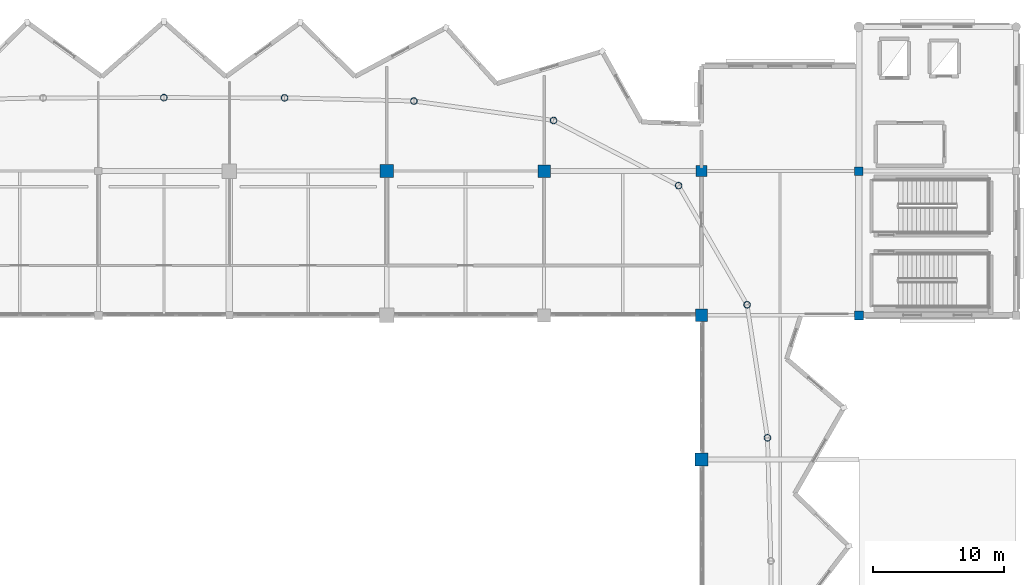
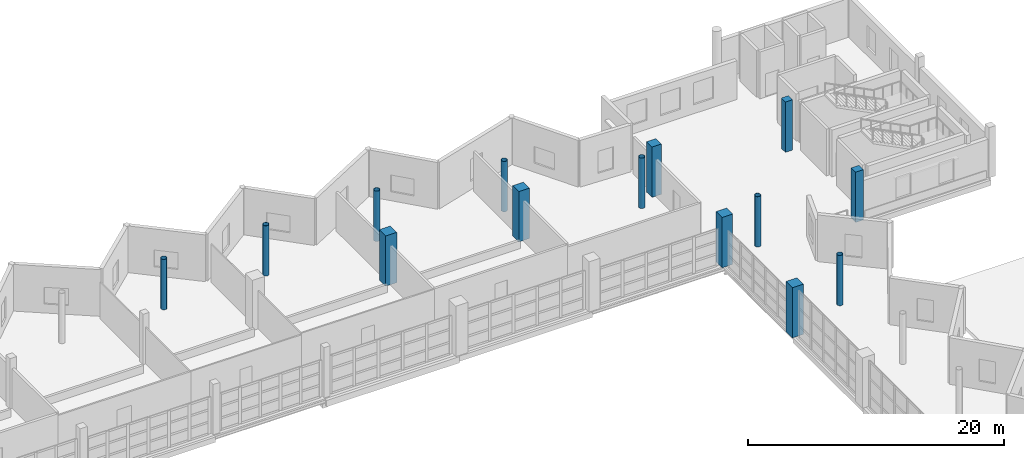
# One storey, part 9 of 53: 14 columns.
"""IFC4 building model written with IfcOpenShell, lengths in metres."""

from ifc_helpers import new_model, si_unit, direction, frame, origin, origin_2d, place, context, subcontext, project, spatial, rectangle, hollow_circle, extrude, material, material_profile, profile_set, type_object, element, save


model = new_model("IFC4")

# Units and contexts
model_context = context("Model", 3, precision=1e-05, world=origin(), true_north=direction((0.0, 1.0)))
body_context = subcontext(model_context, "Body", "Model", "MODEL_VIEW")
ifc_project = project(units=[si_unit("LENGTHUNIT", "METRE"), si_unit("AREAUNIT", "SQUARE_METRE"), si_unit("VOLUMEUNIT", "CUBIC_METRE"), si_unit("PLANEANGLEUNIT", "RADIAN"), si_unit("MASSUNIT", "GRAM", prefix="KILO")], contexts=[model_context])

# Site, building, storey
site_placement = place(None, origin())
site = spatial("IfcSite", under=ifc_project, at=site_placement, CompositionType="ELEMENT")
building_placement = place(site_placement, origin())
building = spatial("IfcBuilding", under=site, at=building_placement, Name="Luwafu Chhajja Arena", CompositionType="ELEMENT")
storey_placement = place(building_placement, frame((0.0, 0.0, 19.5)))
storey = spatial("IfcBuildingStorey", under=building, at=storey_placement, Name="L04", CompositionType="ELEMENT", Elevation=19.5)

# Columns
ifc_material_1 = material(Name="Concrete C40/50", Category="concrete")
ifc_material_profile_1 = material_profile(ifc_material_1, rectangle(XDim=1.0, YDim=1.0, at=origin_2d()), Name="RC 1000x1000")
ifc_profile_set_1 = profile_set([ifc_material_profile_1], Name="Concrete C40/50")
column_type_1 = type_object("IfcColumnType", Name="Bowl Primary Column RC 1000", PredefinedType="COLUMN", material=ifc_profile_set_1)
for number, where, z_axis, x_axis, name in (
    (1, (116.0, 88.0, 0.0), (0.0, 0.0, 1.0), (1.0, 0.0, 0.0), "L04 Grid Column 11/J"),
    (2, (140.0, 66.0, 0.0), (0.0, 0.0, 1.0), (1.0, 0.0, 0.0), "L04 Grid Column 13/G"),
):
    element("IfcColumn", number, at=place(storey_placement, frame(where, z_axis=z_axis, x_axis=x_axis)), inside=storey, type_object=column_type_1, Name=name, PredefinedType="COLUMN", context=body_context, shape_type="SweptSolid", body=[
        extrude(rectangle(XDim=1.0, YDim=1.0, at=origin_2d()), origin(), (0.0, 0.0, 1.0), 4.800048828125),
    ])
ifc_material_profile_2 = material_profile(ifc_material_1, rectangle(XDim=0.949951171875, YDim=0.949951171875, at=origin_2d()), Name="RC 950x950")
ifc_profile_set_2 = profile_set([ifc_material_profile_2], Name="Concrete C40/50")
column_type_2 = type_object("IfcColumnType", Name="Bowl Raker Support Column RC 950", PredefinedType="COLUMN", material=ifc_profile_set_2)
for number, where, z_axis, x_axis, name in (
    (3, (128.0, 88.0, 0.0), (0.0, 0.0, 1.0), (1.0, 0.0, 0.0), "L04 Grid Column 12/J"),
    (4, (140.0, 77.0, 0.0), (0.0, 0.0, 1.0), (1.0, 0.0, 0.0), "L04 Grid Column 13/H"),
):
    element("IfcColumn", number, at=place(storey_placement, frame(where, z_axis=z_axis, x_axis=x_axis)), inside=storey, type_object=column_type_2, Name=name, PredefinedType="COLUMN", context=body_context, shape_type="SweptSolid", body=[
        extrude(rectangle(XDim=0.949951171875, YDim=0.949951171875, at=origin_2d()), origin(), (0.0, 0.0, 1.0), 4.800048828125),
    ])
ifc_material_2 = material(Name="Concrete C35/45", Category="concrete")
ifc_material_profile_3 = material_profile(ifc_material_2, rectangle(XDim=0.85009765625, YDim=0.85009765625, at=origin_2d()), Name="RC 850x850")
ifc_profile_set_3 = profile_set([ifc_material_profile_3], Name="Concrete C35/45")
column_type_3 = type_object("IfcColumnType", Name="Concourse Heavy Column RC 850", PredefinedType="COLUMN", material=ifc_profile_set_3)
column_1_placement = place(storey_placement, frame((140.0, 88.0, 0.0), z_axis=(0.0, 0.0, 1.0), x_axis=(1.0, 0.0, 0.0)))
element("IfcColumn", 5, at=column_1_placement, inside=storey, type_object=column_type_3, Name="L04 Grid Column 13/J", PredefinedType="COLUMN", context=body_context, shape_type="SweptSolid", body=[
    extrude(rectangle(XDim=0.85009765625, YDim=0.85009765625, at=origin_2d()), origin(), (0.0, 0.0, 1.0), 4.800048828125),
])
ifc_material_3 = material(Name="Steel S355", Category="steel")
ifc_material_profile_4 = material_profile(ifc_material_3, hollow_circle(Radius=0.25390625, WallThickness=0.02001953125, at=origin_2d()), Name="CHS 508x20")
ifc_profile_set_4 = profile_set([ifc_material_profile_4], Name="Steel S355")
column_type_4 = type_object("IfcColumnType", Name="Steel Upper Drum Column CHS 508", PredefinedType="COLUMN", material=ifc_profile_set_4)
for number, where, z_axis, x_axis, name in (
    (6, (145.031982421875, 67.6611328125, 0.0), (0.0, 0.0, 1.0), (1.0, 0.0, 0.0), "L04 Bowl Drum Column D03"),
    (7, (143.47607421875, 77.805908203125, 0.0), (0.0, 0.0, 1.0), (1.0, 0.0, 0.0), "L04 Bowl Drum Column D04"),
    (8, (138.256103515625, 86.890869140625, 0.0), (0.0, 0.0, 1.0), (1.0, 0.0, 0.0), "L04 Bowl Drum Column D05"),
    (9, (128.718017578125, 91.86279296875, 0.0), (0.0, 0.0, 1.0), (1.0, 0.0, 0.0), "L04 Bowl Drum Column D06"),
    (10, (118.067138671875, 93.3447265625, 0.0), (0.0, 0.0, 1.0), (1.0, 0.0, 0.0), "L04 Bowl Drum Column D07"),
    (11, (108.207275390625, 93.588134765625, 0.0), (0.0, 0.0, 1.0), (1.0, 0.0, 0.0), "L04 Bowl Drum Column D08"),
    (12, (99.0, 93.60009765625, 0.0), (0.0, 0.0, 1.0), (1.0, 0.0, 0.0), "L04 Bowl Drum Column D09"),
):
    element("IfcColumn", number, at=place(storey_placement, frame(where, z_axis=z_axis, x_axis=x_axis)), inside=storey, type_object=column_type_4, Name=name, PredefinedType="COLUMN", context=body_context, shape_type="SweptSolid", body=[
        extrude(hollow_circle(Radius=0.25390625, WallThickness=0.02001953125, at=origin_2d()), origin(), (0.0, 0.0, 1.0), 4.800048828125),
    ])
ifc_material_profile_5 = material_profile(ifc_material_2, rectangle(XDim=0.64990234375, YDim=0.64990234375, at=origin_2d()), Name="RC 650x650")
ifc_profile_set_5 = profile_set([ifc_material_profile_5], Name="Concrete C35/45")
column_type_5 = type_object("IfcColumnType", Name="Upper Wing Column RC 650", PredefinedType="COLUMN", material=ifc_profile_set_5)
column_2_placement = place(storey_placement, frame((152.0, 88.0, 0.0), z_axis=(0.0, 0.0, 1.0), x_axis=(1.0, 0.0, 0.0)))
element("IfcColumn", 13, at=column_2_placement, inside=storey, type_object=column_type_5, Name="L04 Grid Column 14/J", PredefinedType="COLUMN", context=body_context, shape_type="SweptSolid", body=[
    extrude(rectangle(XDim=0.64990234375, YDim=0.64990234375, at=origin_2d()), origin(), (0.0, 0.0, 1.0), 4.800048828125),
])
ifc_material_profile_6 = material_profile(ifc_material_2, rectangle(XDim=0.699951171875, YDim=0.699951171875, at=origin_2d()), Name="RC 700x700")
ifc_profile_set_6 = profile_set([ifc_material_profile_6], Name="Concrete C35/45")
column_type_6 = type_object("IfcColumnType", Name="Wing Frame Column RC 700", PredefinedType="COLUMN", material=ifc_profile_set_6)
column_3_placement = place(storey_placement, frame((152.0, 77.0, 0.0), z_axis=(0.0, 0.0, 1.0), x_axis=(1.0, 0.0, 0.0)))
element("IfcColumn", 14, at=column_3_placement, inside=storey, type_object=column_type_6, Name="L04 Grid Column 14/H", PredefinedType="COLUMN", context=body_context, shape_type="SweptSolid", body=[
    extrude(rectangle(XDim=0.699951171875, YDim=0.699951171875, at=origin_2d()), origin(), (0.0, 0.0, 1.0), 4.800048828125),
])

save(model, "model.ifc")
